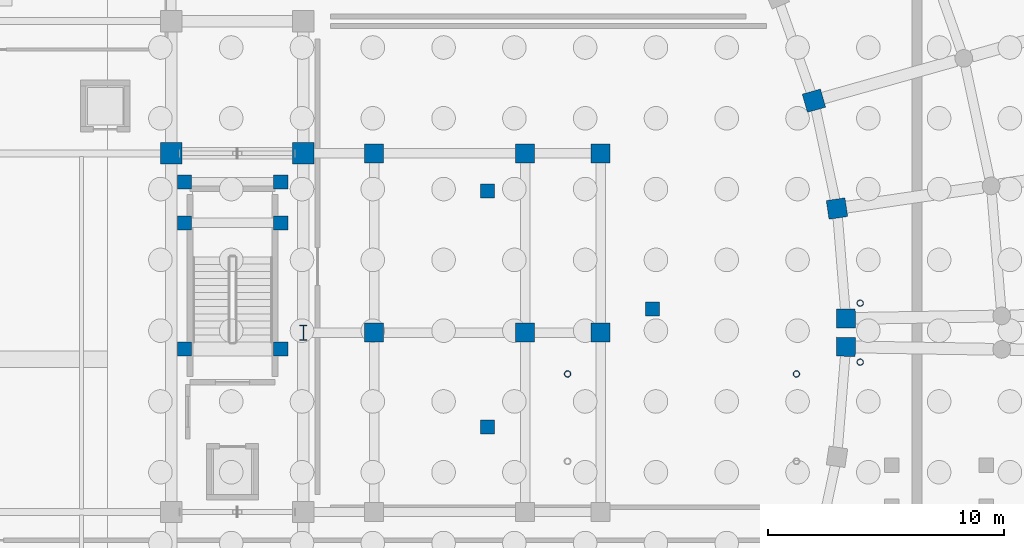
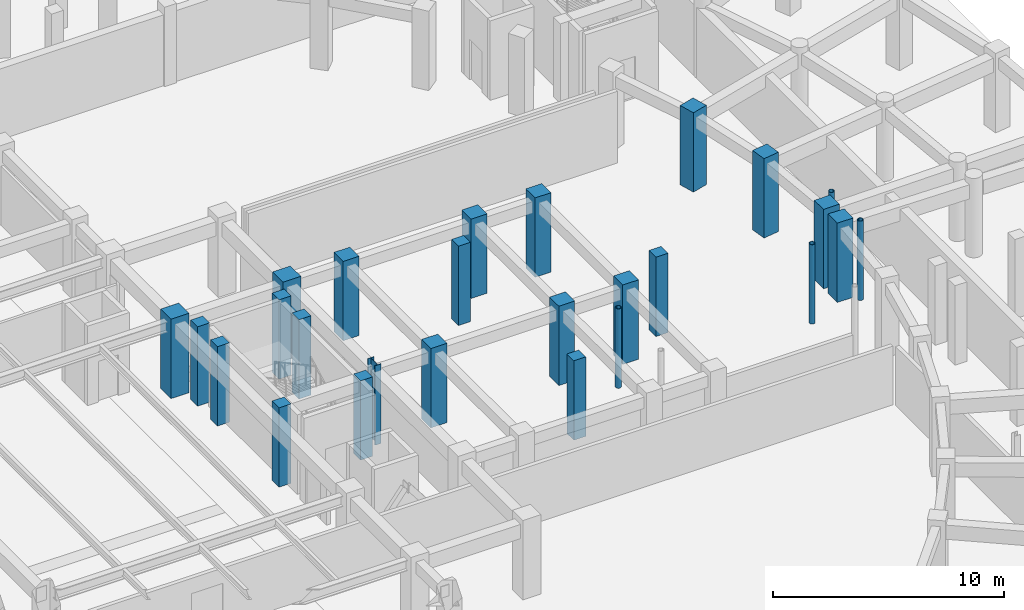
# One storey, part 15 of 33: 26 columns.
"""IFC4 building model written with IfcOpenShell, lengths in metres."""

import ifcopenshell
import ifcopenshell.guid

model = None  # the IFC model being written
_history = None  # IfcOwnerHistory: only IFC2X3 demands one
_inside = {}  # id of a spatial element -> (the spatial element, [elements in it])
_under = {}  # id of a project, library or spatial element -> (it, [spatial elements below it])
_declared = {}  # id of a project -> (the project, [libraries it declares])
_typed = {}  # id of a type object -> (the type object, [elements of that type])
_made_of = {}  # id of a material, layer set ... -> (it, [elements and type objects made of it])


def new_model(schema):
    """Start an empty IFC model of exactly this schema.

    Asked for "IFC4X3", IfcOpenShell would pick the latest addendum, in which some entities
    have other attributes; the version numbers below select the first issue.
    IFC2X3 requires an IfcOwnerHistory on every rooted entity: one is made here for all.
    """
    global model, _history
    if schema == "IFC4X3":
        model = ifcopenshell.file(schema_version=(4, 3, 0, 0))
    else:
        model = ifcopenshell.file(schema=schema)
    _inside.clear()
    _under.clear()
    _declared.clear()
    _typed.clear()
    _made_of.clear()
    _history = None
    if model.schema == "IFC2X3":
        org = make("IfcOrganization", Name="unknown")
        user = make(
            "IfcPersonAndOrganization",
            ThePerson=make("IfcPerson", FamilyName="unknown"),
            TheOrganization=org,
        )
        app = make(
            "IfcApplication",
            ApplicationDeveloper=org,
            Version="unknown",
            ApplicationFullName="unknown",
            ApplicationIdentifier="unknown",
        )
        _history = make(
            "IfcOwnerHistory",
            OwningUser=user,
            OwningApplication=app,
            ChangeAction="ADDED",
            CreationDate=0,
        )
    return model


def make(cls, **values):
    """One entity of the class cls with the attributes given. An attribute that is None is left unset."""
    return model.create_entity(
        cls, **{name: value for name, value in values.items() if value is not None}
    )


def rooted(cls, **values):
    """An entity with a GlobalId (a new one), such as an element, a storey or a relation."""
    return make(cls, GlobalId=ifcopenshell.guid.new(), OwnerHistory=_history, **values)


def si_unit(unit_type, name, prefix=None):
    """IfcSIUnit, for example si_unit("LENGTHUNIT", "METRE", prefix="MILLI")."""
    return make("IfcSIUnit", UnitType=unit_type, Prefix=prefix, Name=name)


def assignment(units):
    """IfcUnitAssignment: the units of a project."""
    return None if units is None else make("IfcUnitAssignment", Units=units)


def point(xyz):
    """IfcCartesianPoint."""
    return None if xyz is None else make("IfcCartesianPoint", Coordinates=xyz)


def direction(xyz):
    """IfcDirection."""
    return None if xyz is None else make("IfcDirection", DirectionRatios=xyz)


def frame(location, z_axis=None, x_axis=None):
    """IfcAxis2Placement3D, a coordinate frame: its origin and axes. An axis left out is left unset."""
    return make(
        "IfcAxis2Placement3D",
        Location=point(location),
        Axis=direction(z_axis),
        RefDirection=direction(x_axis),
    )


def frame_2d(location, x_axis=None):
    """IfcAxis2Placement2D, a coordinate frame in the plane: its origin and x axis."""
    return make(
        "IfcAxis2Placement2D", Location=point(location), RefDirection=direction(x_axis)
    )


def origin():
    """The frame at (0, 0, 0) with its axes left unset."""
    return frame((0.0, 0.0, 0.0))


def origin_2d():
    """The frame at (0, 0) in the plane with its x axis left unset."""
    return frame_2d((0.0, 0.0))


def place(relative_to, where):
    """IfcLocalPlacement: puts the frame where relative to a parent placement (None: the world)."""
    return make(
        "IfcLocalPlacement", PlacementRelTo=relative_to, RelativePlacement=where
    )


def context(
    kind, dimensions, precision=None, world=None, true_north=None, identifier=None
):
    """IfcGeometricRepresentationContext, for example the 3D "Model" context."""
    return make(
        "IfcGeometricRepresentationContext",
        ContextIdentifier=identifier,
        ContextType=kind,
        CoordinateSpaceDimension=dimensions,
        Precision=precision,
        WorldCoordinateSystem=world,
        TrueNorth=true_north,
    )


def subcontext(parent, identifier, kind, view, scale=None):
    """IfcGeometricRepresentationSubContext, for example "Body" below "Model"."""
    return make(
        "IfcGeometricRepresentationSubContext",
        ContextIdentifier=identifier,
        ContextType=kind,
        ParentContext=parent,
        TargetScale=scale,
        TargetView=view,
    )


def project(units=None, contexts=None):
    """IfcProject with its units and contexts."""
    return rooted(
        "IfcProject",
        Name="project",
        RepresentationContexts=contexts,
        UnitsInContext=assignment(units),
    )


def spatial(cls, under=None, at=None, **own):
    """A site, building, storey or space (cls), placed at a placement, below another one or the project."""
    s = rooted(cls, ObjectPlacement=at, **own)
    if under is not None:
        _under.setdefault(under.id(), (under, []))[1].append(s)
    return s


def profile(cls, at=None, kind="AREA", **sizes):
    """A parametric profile (cls). Its sizes go by their IFC names, for example OverallWidth=200.0."""
    return make(cls, ProfileType=kind, Position=at, **sizes)


def rectangle(**sizes):
    """IfcRectangleProfileDef."""
    return profile("IfcRectangleProfileDef", **sizes)


def hollow_circle(**sizes):
    """IfcCircleHollowProfileDef."""
    return profile("IfcCircleHollowProfileDef", **sizes)


def i_section(**sizes):
    """IfcIShapeProfileDef."""
    return profile("IfcIShapeProfileDef", **sizes)


def extrude(swept, where, along, depth):
    """IfcExtrudedAreaSolid: the profile swept, set in the frame where, extruded along a direction by depth."""
    return make(
        "IfcExtrudedAreaSolid",
        SweptArea=swept,
        Position=where,
        ExtrudedDirection=direction(along),
        Depth=depth,
    )


def shape(context_of_items, identifier, shape_type, items):
    """IfcShapeRepresentation: the items that make up one representation, for example the "Body"."""
    return make(
        "IfcShapeRepresentation",
        ContextOfItems=context_of_items,
        RepresentationIdentifier=identifier,
        RepresentationType=shape_type,
        Items=items,
    )


def material(Name=None, Category=None):
    """IfcMaterial."""
    return make("IfcMaterial", Name=Name, Category=Category)


def material_profile(
    of_material, cross_section, Name=None, Category=None, Priority=None
):
    """IfcMaterialProfile: a cross section and its material."""
    return make(
        "IfcMaterialProfile",
        Name=Name,
        Material=of_material,
        Profile=cross_section,
        Priority=Priority,
        Category=Category,
    )


def profile_set(profiles, Name=None, composite=None):
    """IfcMaterialProfileSet."""
    return make(
        "IfcMaterialProfileSet",
        Name=Name,
        MaterialProfiles=profiles,
        CompositeProfile=composite,
    )


def made_of(thing, what):
    """Note that an element or type object is made of a material, layer set ...; save() writes the relation."""
    if what is not None:
        _made_of.setdefault(what.id(), (what, []))[1].append(thing)
    return thing


def type_object(cls, material=None, **own):
    """A type object (cls), such as IfcWallType, which elements share."""
    return made_of(rooted(cls, **own), material)


def element(
    cls,
    number,
    at=None,
    inside=None,
    cuts=None,
    type_object=None,
    material=None,
    context=None,
    identifier="Body",
    shape_type=None,
    held_by="IfcProductDefinitionShape",
    body=None,
    shapes=None,
    **own,
):
    """One element of the class cls, such as IfcWall. Its Tag is "e" and its number.

    at: its placement. inside: the storey or other place that contains it. cuts: it is an
    opening in that element (IfcRelVoidsElement). A single representation is given by context,
    identifier, shape_type and body (its items); several are given by shapes. held_by: the class
    of the entity that holds the representations. save() writes the other relations.
    """
    e = rooted(cls, Tag="e%d" % number, ObjectPlacement=at, **own)
    if body is not None:
        shapes = [shape(context, identifier, shape_type, body)]
    if shapes is not None:
        e.Representation = make(held_by, Representations=shapes)
    if inside is not None:
        _inside.setdefault(inside.id(), (inside, []))[1].append(e)
    if cuts is not None:
        rooted(
            "IfcRelVoidsElement", RelatingBuildingElement=cuts, RelatedOpeningElement=e
        )
    if type_object is not None:
        _typed.setdefault(type_object.id(), (type_object, []))[1].append(e)
    return made_of(e, material)


def aggregate(whole, parts):
    """IfcRelAggregates: a whole, such as a stair, and the parts it consists of."""
    return rooted("IfcRelAggregates", RelatingObject=whole, RelatedObjects=parts)


def save(model, path):
    """Write the relations noted so far, then the file.

    IfcRelAggregates (storeys below a building ...), IfcRelContainedInSpatialStructure (elements
    in a storey), IfcRelDefinesByType, IfcRelAssociatesMaterial and IfcRelDeclares: one each for
    every whole, place, type object, material and project.
    """
    for whole, parts in _under.values():
        aggregate(whole, parts)
    for where, things in _inside.values():
        rooted(
            "IfcRelContainedInSpatialStructure",
            RelatedElements=things,
            RelatingStructure=where,
        )
    for kind, things in _typed.values():
        rooted("IfcRelDefinesByType", RelatedObjects=things, RelatingType=kind)
    for what, things in _made_of.values():
        rooted("IfcRelAssociatesMaterial", RelatedObjects=things, RelatingMaterial=what)
    for by, libraries in _declared.values():
        rooted("IfcRelDeclares", RelatingContext=by, RelatedDefinitions=libraries)
    model.write(path)


model = new_model("IFC4")

# Units and contexts
model_context = context("Model", 3, precision=1e-05, world=origin(), true_north=direction((0.0, 1.0)))
body_context = subcontext(model_context, "Body", "Model", "MODEL_VIEW")
ifc_project = project(units=[si_unit("LENGTHUNIT", "METRE"), si_unit("AREAUNIT", "SQUARE_METRE"), si_unit("VOLUMEUNIT", "CUBIC_METRE"), si_unit("PLANEANGLEUNIT", "RADIAN"), si_unit("MASSUNIT", "GRAM", prefix="KILO")], contexts=[model_context])

# Site, building, storey
site_placement = place(None, origin())
site = spatial("IfcSite", under=ifc_project, at=site_placement, CompositionType="ELEMENT")
building_placement = place(site_placement, origin())
building = spatial("IfcBuilding", under=site, at=building_placement, Name="Saryqyr Civic Hall", CompositionType="ELEMENT")
storey_placement = place(building_placement, frame((0.0, 0.0, -4.199951171875)))
storey = spatial("IfcBuildingStorey", under=building, at=storey_placement, Name="B1", CompositionType="ELEMENT", Elevation=-4.199951171875)

# Columns
ifc_material_1 = material(Name="Steel S355", Category="steel")
ifc_material_profile_1 = material_profile(ifc_material_1, hollow_circle(Radius=0.136474609375, WallThickness=0.01611328125, at=origin_2d()), Name="CHS 273x16")
ifc_profile_set_1 = profile_set([ifc_material_profile_1], Name="Steel S355")
column_type_1 = type_object("IfcColumnType", Name="STR-COL-CHS273-S355", PredefinedType="COLUMN", material=ifc_profile_set_1)
for number, where, z_axis, x_axis, name in (
    (1, (93.800048828125, 82.75, 0.0), (0.0, 0.0, 1.0), (1.0, 0.0, 0.0), "Column BRCOL-BR-E-1-B1"),
    (2, (93.800048828125, 85.25, 0.0), (0.0, 0.0, 1.0), (1.0, 0.0, 0.0), "Column BRCOL-BR-E-4-B1"),
    (3, (91.09765625, 82.25, 0.0), (0.0, 0.0, 1.0), (1.0, 0.0, 0.0), "Column BRCOL-BR-CE-3-B1"),
    (4, (81.39990234375, 82.25, 0.0), (0.0, 0.0, 1.0), (1.0, 0.0, 0.0), "Column BRCOL-BR-CE-4-B1"),
):
    element("IfcColumn", number, at=place(storey_placement, frame(where, z_axis=z_axis, x_axis=x_axis)), inside=storey, type_object=column_type_1, Name=name, PredefinedType="COLUMN", context=body_context, shape_type="SweptSolid", body=[
        extrude(hollow_circle(Radius=0.136474609375, WallThickness=0.01611328125, at=origin_2d()), origin(), (0.0, 0.0, 1.0), 4.199951171875),
    ])
ifc_material_profile_2 = material_profile(ifc_material_1, i_section(OverallWidth=0.300048828125, OverallDepth=0.64990234375, WebThickness=0.01611328125, FlangeThickness=0.031005859375, at=origin_2d()), Name="HEB 650")
ifc_profile_set_2 = profile_set([ifc_material_profile_2], Name="Steel S355")
column_type_2 = type_object("IfcColumnType", Name="STR-COL-HEB650-S355", PredefinedType="COLUMN", material=ifc_profile_set_2)
column_placement = place(storey_placement, frame((70.199951171875, 84.0, 0.0), z_axis=(0.0, 0.0, 1.0), x_axis=(1.0, 0.0, 0.0)))
element("IfcColumn", 5, at=column_placement, inside=storey, type_object=column_type_2, Name="Column V1-GCOL-E-B1", PredefinedType="COLUMN", context=body_context, shape_type="SweptSolid", body=[
    extrude(i_section(OverallWidth=0.300048828125, OverallDepth=0.64990234375, WebThickness=0.01611328125, FlangeThickness=0.031005859375, at=origin_2d()), origin(), (0.0, 0.0, 1.0), 4.199951171875),
])
ifc_material_2 = material(Name="Concrete C40/50", Category="concrete")
ifc_material_profile_3 = material_profile(ifc_material_2, rectangle(XDim=0.60009765625, YDim=0.60009765625, at=origin_2d()), Name="RC 600x600")
ifc_profile_set_3 = profile_set([ifc_material_profile_3], Name="Concrete C40/50")
column_type_3 = type_object("IfcColumnType", Name="STR-COL-RC600-C40", PredefinedType="COLUMN", material=ifc_profile_set_3)
for number, where, z_axis, x_axis, name in (
    (6, (69.239990234375, 83.31494140625, 0.0), (0.0, 0.0, 1.0), (1.0, 0.0, 0.0), "Column ST-2-SCOL-TRMA-B1"),
    (7, (65.159912109375, 83.31494140625, 0.0), (0.0, 0.0, 1.0), (1.0, 0.0, 0.0), "Column ST-2-SCOL-TRMB-B1"),
    (8, (69.239990234375, 88.64990234375, 0.0), (0.0, 0.0, 1.0), (1.0, 0.0, 0.0), "Column ST-2-SCOL-LND1A-B1"),
    (9, (65.159912109375, 88.64990234375, 0.0), (0.0, 0.0, 1.0), (1.0, 0.0, 0.0), "Column ST-2-SCOL-LND1B-B1"),
    (10, (69.239990234375, 90.3798828125, 0.0), (0.0, 0.0, 1.0), (1.0, 0.0, 0.0), "Column ST-2-SCOL-LND2A-B1"),
    (11, (65.159912109375, 90.3798828125, 0.0), (0.0, 0.0, 1.0), (1.0, 0.0, 0.0), "Column ST-2-SCOL-LND2B-B1"),
    (12, (78.0, 80.0, 0.0), (0.0, 0.0, 1.0), (1.0, 0.0, 0.0), "Column V2-XCOL-04-B1"),
    (13, (78.0, 90.0, 0.0), (0.0, 0.0, 1.0), (1.0, 0.0, 0.0), "Column V2-XCOL-05-B1"),
    (14, (85.0, 85.0, 0.0), (0.0, 0.0, 1.0), (1.0, 0.0, 0.0), "Column V2-XCOL-06-B1"),
):
    element("IfcColumn", number, at=place(storey_placement, frame(where, z_axis=z_axis, x_axis=x_axis)), inside=storey, type_object=column_type_3, Name=name, PredefinedType="COLUMN", context=body_context, shape_type="SweptSolid", body=[
        extrude(rectangle(XDim=0.60009765625, YDim=0.60009765625, at=origin_2d()), origin(), (0.0, 0.0, 1.0), 4.199951171875),
    ])
ifc_material_profile_4 = material_profile(ifc_material_2, rectangle(XDim=0.800048828125, YDim=0.800048828125, at=origin_2d()), Name="RC 800x800")
ifc_profile_set_4 = profile_set([ifc_material_profile_4], Name="Concrete C40/50")
column_type_4 = type_object("IfcColumnType", Name="STR-COL-RC800-C40", PredefinedType="COLUMN", material=ifc_profile_set_4)
for number, where, z_axis, x_axis, name in (
    (15, (73.199951171875, 84.0, 0.0), (0.0, 0.0, 1.0), (1.0, 0.0, 0.0), "Column V1-COL-S3P05-B1"),
    (16, (73.199951171875, 91.60009765625, 0.0), (0.0, 0.0, 1.0), (1.0, 0.0, 0.0), "Column V1-COL-S3P06-B1"),
    (17, (79.60009765625, 84.0, 0.0), (0.0, 0.0, 1.0), (1.0, 0.0, 0.0), "Column V1-COL-S1P05-B1"),
    (18, (79.60009765625, 91.60009765625, 0.0), (0.0, 0.0, 1.0), (1.0, 0.0, 0.0), "Column V1-COL-S1P06-B1"),
    (19, (82.800048828125, 84.0, 0.0), (0.0, 0.0, 1.0), (1.0, 0.0, 0.0), "Column V1-COL-S0P05-B1"),
    (20, (82.800048828125, 91.60009765625, 0.0), (0.0, 0.0, 1.0), (1.0, 0.0, 0.0), "Column V1-COL-S0P06-B1"),
    (21, (93.195068359375, 83.39990234375, 0.0), (0.0, 0.0, 1.0), (0.999862544538, -0.016579868188, 0.0), "Column V5-COL-IN10-B1"),
    (22, (93.195068359375, 84.60009765625, 0.0), (0.0, 0.0, 1.0), (0.999862544538, 0.016579868188, 0.0), "Column V6-COL-IN00-B1"),
    (23, (92.81591796875, 89.260009765625, 0.0), (0.0, 0.0, 1.0), (0.989399437751, 0.145219670077, 0.0), "Column V6-COL-IN01-B1"),
    (24, (91.839111328125, 93.832275390625, 0.0), (0.0, 0.0, 1.0), (0.962407846499, 0.271608425858, 0.0), "Column V6-COL-IN02-B1"),
):
    element("IfcColumn", number, at=place(storey_placement, frame(where, z_axis=z_axis, x_axis=x_axis)), inside=storey, type_object=column_type_4, Name=name, PredefinedType="COLUMN", context=body_context, shape_type="SweptSolid", body=[
        extrude(rectangle(XDim=0.800048828125, YDim=0.800048828125, at=origin_2d()), origin(), (0.0, 0.0, 1.0), 4.199951171875),
    ])
ifc_material_profile_5 = material_profile(ifc_material_2, rectangle(XDim=0.89990234375, YDim=0.89990234375, at=origin_2d()), Name="RC 900x900")
ifc_profile_set_5 = profile_set([ifc_material_profile_5], Name="Concrete C40/50")
column_type_5 = type_object("IfcColumnType", Name="STR-COL-RC900-C40", PredefinedType="COLUMN", material=ifc_profile_set_5)
for number, where, z_axis, x_axis, name in (
    (25, (64.60009765625, 91.60009765625, 0.0), (0.0, 0.0, 1.0), (1.0, 0.0, 0.0), "Column V1-COL-C33-B1"),
    (26, (70.199951171875, 91.60009765625, 0.0), (0.0, 0.0, 1.0), (1.0, 0.0, 0.0), "Column V1-COL-C43-B1"),
):
    element("IfcColumn", number, at=place(storey_placement, frame(where, z_axis=z_axis, x_axis=x_axis)), inside=storey, type_object=column_type_5, Name=name, PredefinedType="COLUMN", context=body_context, shape_type="SweptSolid", body=[
        extrude(rectangle(XDim=0.89990234375, YDim=0.89990234375, at=origin_2d()), origin(), (0.0, 0.0, 1.0), 4.199951171875),
    ])

save(model, "model.ifc")
